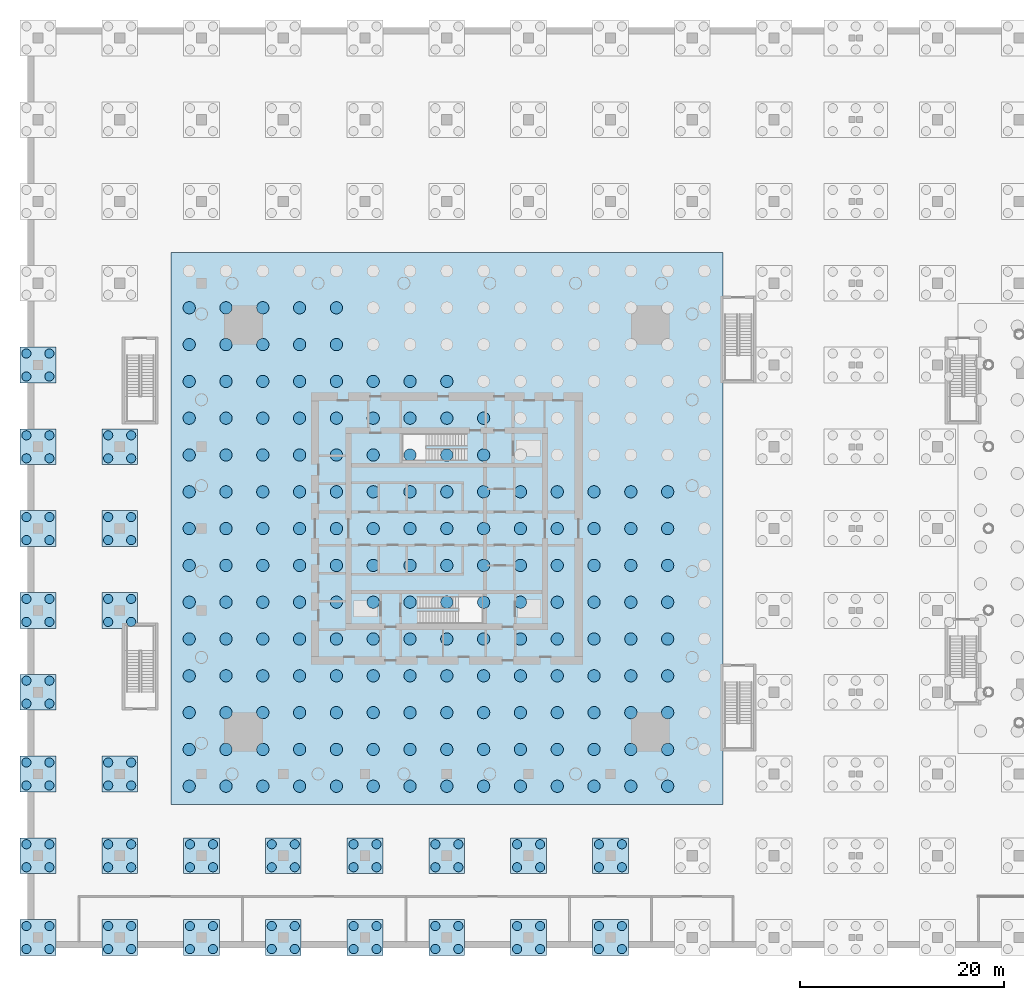
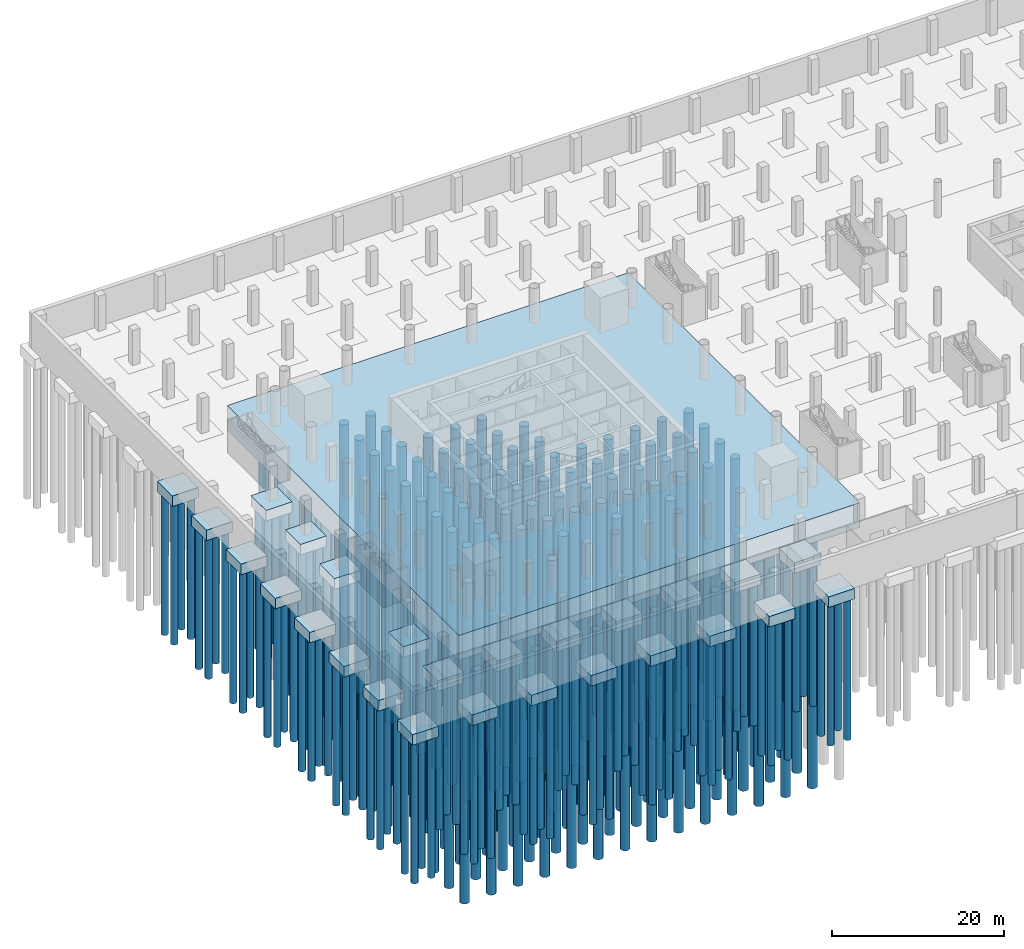
# One storey, part 1 of 24: 266 piles, 27 footings.
"""IFC4 building model written with IfcOpenShell, lengths in metres."""

from ifc_helpers import new_model, si_unit, direction, frame, origin, origin_2d, place, context, subcontext, project, spatial, polyline, rectangle, circle, outline, extrude, material, layer, layer_set, type_object, element, save


model = new_model("IFC4")

# Units and contexts
model_context = context("Model", 3, precision=1e-05, world=origin(), true_north=direction((0.0, 1.0)))
body_context = subcontext(model_context, "Body", "Model", "MODEL_VIEW")
ifc_project = project(units=[si_unit("LENGTHUNIT", "METRE"), si_unit("AREAUNIT", "SQUARE_METRE"), si_unit("VOLUMEUNIT", "CUBIC_METRE"), si_unit("PLANEANGLEUNIT", "RADIAN"), si_unit("MASSUNIT", "GRAM", prefix="KILO")], contexts=[model_context])

# Site, building, storey
site_placement = place(None, origin())
site = spatial("IfcSite", under=ifc_project, at=site_placement, CompositionType="ELEMENT")
building_placement = place(site_placement, origin())
building = spatial("IfcBuilding", under=site, at=building_placement, Name="Ostroluk Exchange", CompositionType="ELEMENT")
storey_placement = place(building_placement, frame((0.0, 0.0, -10.0)))
storey = spatial("IfcBuildingStorey", under=building, at=storey_placement, Name="B2", CompositionType="ELEMENT", Elevation=-10.0)

# Piles
ifc_material_1 = material(Name="Concrete C30/37", Category="concrete")
pile_type_1 = type_object("IfcPileType", Name="Bored pile 1200 x 36 m", PredefinedType="BORED", material=ifc_material_1)
for number, where, z_axis, x_axis, name in (
    (1, (19.800048828125, 20.800048828125, -3.5), (0.0, 0.0, -1.0), (1.0, 0.0, 0.0), "Office tower raft pile 1.1"),
    (2, (19.800048828125, 24.39990234375, -3.5), (0.0, 0.0, -1.0), (1.0, 0.0, 0.0), "Office tower raft pile 1.2"),
    (3, (19.800048828125, 28.0, -3.5), (0.0, 0.0, -1.0), (1.0, 0.0, 0.0), "Office tower raft pile 1.3"),
    (4, (19.800048828125, 31.60009765625, -3.5), (0.0, 0.0, -1.0), (1.0, 0.0, 0.0), "Office tower raft pile 1.4"),
    (5, (19.800048828125, 35.199951171875, -3.5), (0.0, 0.0, -1.0), (1.0, 0.0, 0.0), "Office tower raft pile 1.5"),
    (6, (19.800048828125, 38.800048828125, -3.5), (0.0, 0.0, -1.0), (1.0, 0.0, 0.0), "Office tower raft pile 1.6"),
    (7, (19.800048828125, 42.39990234375, -3.5), (0.0, 0.0, -1.0), (1.0, 0.0, 0.0), "Office tower raft pile 1.7"),
    (8, (19.800048828125, 46.0, -3.5), (0.0, 0.0, -1.0), (1.0, 0.0, 0.0), "Office tower raft pile 1.8"),
    (9, (19.800048828125, 49.60009765625, -3.5), (0.0, 0.0, -1.0), (1.0, 0.0, 0.0), "Office tower raft pile 1.9"),
    (10, (19.800048828125, 53.199951171875, -3.5), (0.0, 0.0, -1.0), (1.0, 0.0, 0.0), "Office tower raft pile 1.10"),
    (11, (19.800048828125, 56.800048828125, -3.5), (0.0, 0.0, -1.0), (1.0, 0.0, 0.0), "Office tower raft pile 1.11"),
    (12, (19.800048828125, 60.39990234375, -3.5), (0.0, 0.0, -1.0), (1.0, 0.0, 0.0), "Office tower raft pile 1.12"),
    (13, (19.800048828125, 64.0, -3.5), (0.0, 0.0, -1.0), (1.0, 0.0, 0.0), "Office tower raft pile 1.13"),
    (14, (19.800048828125, 67.60009765625, -3.5), (0.0, 0.0, -1.0), (1.0, 0.0, 0.0), "Office tower raft pile 1.14"),
    (15, (23.39990234375, 20.800048828125, -3.5), (0.0, 0.0, -1.0), (1.0, 0.0, 0.0), "Office tower raft pile 2.1"),
    (16, (23.39990234375, 24.39990234375, -3.5), (0.0, 0.0, -1.0), (1.0, 0.0, 0.0), "Office tower raft pile 2.2"),
    (17, (23.39990234375, 28.0, -3.5), (0.0, 0.0, -1.0), (1.0, 0.0, 0.0), "Office tower raft pile 2.3"),
    (18, (23.39990234375, 31.60009765625, -3.5), (0.0, 0.0, -1.0), (1.0, 0.0, 0.0), "Office tower raft pile 2.4"),
    (19, (23.39990234375, 35.199951171875, -3.5), (0.0, 0.0, -1.0), (1.0, 0.0, 0.0), "Office tower raft pile 2.5"),
    (20, (23.39990234375, 38.800048828125, -3.5), (0.0, 0.0, -1.0), (1.0, 0.0, 0.0), "Office tower raft pile 2.6"),
    (21, (23.39990234375, 42.39990234375, -3.5), (0.0, 0.0, -1.0), (1.0, 0.0, 0.0), "Office tower raft pile 2.7"),
    (22, (23.39990234375, 46.0, -3.5), (0.0, 0.0, -1.0), (1.0, 0.0, 0.0), "Office tower raft pile 2.8"),
    (23, (23.39990234375, 49.60009765625, -3.5), (0.0, 0.0, -1.0), (1.0, 0.0, 0.0), "Office tower raft pile 2.9"),
    (24, (23.39990234375, 53.199951171875, -3.5), (0.0, 0.0, -1.0), (1.0, 0.0, 0.0), "Office tower raft pile 2.10"),
    (25, (23.39990234375, 56.800048828125, -3.5), (0.0, 0.0, -1.0), (1.0, 0.0, 0.0), "Office tower raft pile 2.11"),
    (26, (23.39990234375, 60.39990234375, -3.5), (0.0, 0.0, -1.0), (1.0, 0.0, 0.0), "Office tower raft pile 2.12"),
    (27, (23.39990234375, 64.0, -3.5), (0.0, 0.0, -1.0), (1.0, 0.0, 0.0), "Office tower raft pile 2.13"),
    (28, (23.39990234375, 67.60009765625, -3.5), (0.0, 0.0, -1.0), (1.0, 0.0, 0.0), "Office tower raft pile 2.14"),
    (29, (27.0, 20.800048828125, -3.5), (0.0, 0.0, -1.0), (1.0, 0.0, 0.0), "Office tower raft pile 3.1"),
    (30, (27.0, 24.39990234375, -3.5), (0.0, 0.0, -1.0), (1.0, 0.0, 0.0), "Office tower raft pile 3.2"),
    (31, (27.0, 28.0, -3.5), (0.0, 0.0, -1.0), (1.0, 0.0, 0.0), "Office tower raft pile 3.3"),
    (32, (27.0, 31.60009765625, -3.5), (0.0, 0.0, -1.0), (1.0, 0.0, 0.0), "Office tower raft pile 3.4"),
    (33, (27.0, 35.199951171875, -3.5), (0.0, 0.0, -1.0), (1.0, 0.0, 0.0), "Office tower raft pile 3.5"),
    (34, (27.0, 38.800048828125, -3.5), (0.0, 0.0, -1.0), (1.0, 0.0, 0.0), "Office tower raft pile 3.6"),
    (35, (27.0, 42.39990234375, -3.5), (0.0, 0.0, -1.0), (1.0, 0.0, 0.0), "Office tower raft pile 3.7"),
    (36, (27.0, 46.0, -3.5), (0.0, 0.0, -1.0), (1.0, 0.0, 0.0), "Office tower raft pile 3.8"),
    (37, (27.0, 49.60009765625, -3.5), (0.0, 0.0, -1.0), (1.0, 0.0, 0.0), "Office tower raft pile 3.9"),
    (38, (27.0, 53.199951171875, -3.5), (0.0, 0.0, -1.0), (1.0, 0.0, 0.0), "Office tower raft pile 3.10"),
    (39, (27.0, 56.800048828125, -3.5), (0.0, 0.0, -1.0), (1.0, 0.0, 0.0), "Office tower raft pile 3.11"),
    (40, (27.0, 60.39990234375, -3.5), (0.0, 0.0, -1.0), (1.0, 0.0, 0.0), "Office tower raft pile 3.12"),
    (41, (27.0, 64.0, -3.5), (0.0, 0.0, -1.0), (1.0, 0.0, 0.0), "Office tower raft pile 3.13"),
    (42, (27.0, 67.60009765625, -3.5), (0.0, 0.0, -1.0), (1.0, 0.0, 0.0), "Office tower raft pile 3.14"),
    (43, (30.60009765625, 20.800048828125, -3.5), (0.0, 0.0, -1.0), (1.0, 0.0, 0.0), "Office tower raft pile 4.1"),
    (44, (30.60009765625, 24.39990234375, -3.5), (0.0, 0.0, -1.0), (1.0, 0.0, 0.0), "Office tower raft pile 4.2"),
    (45, (30.60009765625, 28.0, -3.5), (0.0, 0.0, -1.0), (1.0, 0.0, 0.0), "Office tower raft pile 4.3"),
    (46, (30.60009765625, 31.60009765625, -3.5), (0.0, 0.0, -1.0), (1.0, 0.0, 0.0), "Office tower raft pile 4.4"),
    (47, (30.60009765625, 35.199951171875, -3.5), (0.0, 0.0, -1.0), (1.0, 0.0, 0.0), "Office tower raft pile 4.5"),
    (48, (30.60009765625, 38.800048828125, -3.5), (0.0, 0.0, -1.0), (1.0, 0.0, 0.0), "Office tower raft pile 4.6"),
    (49, (30.60009765625, 42.39990234375, -3.5), (0.0, 0.0, -1.0), (1.0, 0.0, 0.0), "Office tower raft pile 4.7"),
    (50, (30.60009765625, 46.0, -3.5), (0.0, 0.0, -1.0), (1.0, 0.0, 0.0), "Office tower raft pile 4.8"),
    (51, (30.60009765625, 49.60009765625, -3.5), (0.0, 0.0, -1.0), (1.0, 0.0, 0.0), "Office tower raft pile 4.9"),
    (52, (30.60009765625, 53.199951171875, -3.5), (0.0, 0.0, -1.0), (1.0, 0.0, 0.0), "Office tower raft pile 4.10"),
    (53, (30.60009765625, 56.800048828125, -3.5), (0.0, 0.0, -1.0), (1.0, 0.0, 0.0), "Office tower raft pile 4.11"),
    (54, (30.60009765625, 60.39990234375, -3.5), (0.0, 0.0, -1.0), (1.0, 0.0, 0.0), "Office tower raft pile 4.12"),
    (55, (30.60009765625, 64.0, -3.5), (0.0, 0.0, -1.0), (1.0, 0.0, 0.0), "Office tower raft pile 4.13"),
    (56, (30.60009765625, 67.60009765625, -3.5), (0.0, 0.0, -1.0), (1.0, 0.0, 0.0), "Office tower raft pile 4.14"),
    (57, (34.199951171875, 20.800048828125, -3.5), (0.0, 0.0, -1.0), (1.0, 0.0, 0.0), "Office tower raft pile 5.1"),
    (58, (34.199951171875, 24.39990234375, -3.5), (0.0, 0.0, -1.0), (1.0, 0.0, 0.0), "Office tower raft pile 5.2"),
    (59, (34.199951171875, 28.0, -3.5), (0.0, 0.0, -1.0), (1.0, 0.0, 0.0), "Office tower raft pile 5.3"),
    (60, (34.199951171875, 31.60009765625, -3.5), (0.0, 0.0, -1.0), (1.0, 0.0, 0.0), "Office tower raft pile 5.4"),
    (61, (34.199951171875, 35.199951171875, -3.5), (0.0, 0.0, -1.0), (1.0, 0.0, 0.0), "Office tower raft pile 5.5"),
    (62, (34.199951171875, 38.800048828125, -3.5), (0.0, 0.0, -1.0), (1.0, 0.0, 0.0), "Office tower raft pile 5.6"),
    (63, (34.199951171875, 42.39990234375, -3.5), (0.0, 0.0, -1.0), (1.0, 0.0, 0.0), "Office tower raft pile 5.7"),
    (64, (34.199951171875, 46.0, -3.5), (0.0, 0.0, -1.0), (1.0, 0.0, 0.0), "Office tower raft pile 5.8"),
    (65, (34.199951171875, 49.60009765625, -3.5), (0.0, 0.0, -1.0), (1.0, 0.0, 0.0), "Office tower raft pile 5.9"),
    (66, (34.199951171875, 53.199951171875, -3.5), (0.0, 0.0, -1.0), (1.0, 0.0, 0.0), "Office tower raft pile 5.10"),
    (67, (34.199951171875, 56.800048828125, -3.5), (0.0, 0.0, -1.0), (1.0, 0.0, 0.0), "Office tower raft pile 5.11"),
    (68, (34.199951171875, 60.39990234375, -3.5), (0.0, 0.0, -1.0), (1.0, 0.0, 0.0), "Office tower raft pile 5.12"),
    (69, (34.199951171875, 64.0, -3.5), (0.0, 0.0, -1.0), (1.0, 0.0, 0.0), "Office tower raft pile 5.13"),
    (70, (34.199951171875, 67.60009765625, -3.5), (0.0, 0.0, -1.0), (1.0, 0.0, 0.0), "Office tower raft pile 5.14"),
    (71, (37.800048828125, 20.800048828125, -3.5), (0.0, 0.0, -1.0), (1.0, 0.0, 0.0), "Office tower raft pile 6.1"),
    (72, (37.800048828125, 24.39990234375, -3.5), (0.0, 0.0, -1.0), (1.0, 0.0, 0.0), "Office tower raft pile 6.2"),
    (73, (37.800048828125, 28.0, -3.5), (0.0, 0.0, -1.0), (1.0, 0.0, 0.0), "Office tower raft pile 6.3"),
    (74, (37.800048828125, 31.60009765625, -3.5), (0.0, 0.0, -1.0), (1.0, 0.0, 0.0), "Office tower raft pile 6.4"),
    (75, (37.800048828125, 35.199951171875, -3.5), (0.0, 0.0, -1.0), (1.0, 0.0, 0.0), "Office tower raft pile 6.5"),
    (76, (37.800048828125, 38.800048828125, -3.5), (0.0, 0.0, -1.0), (1.0, 0.0, 0.0), "Office tower raft pile 6.6"),
    (77, (37.800048828125, 42.39990234375, -3.5), (0.0, 0.0, -1.0), (1.0, 0.0, 0.0), "Office tower raft pile 6.7"),
    (78, (37.800048828125, 46.0, -3.5), (0.0, 0.0, -1.0), (1.0, 0.0, 0.0), "Office tower raft pile 6.8"),
    (79, (37.800048828125, 49.60009765625, -3.5), (0.0, 0.0, -1.0), (1.0, 0.0, 0.0), "Office tower raft pile 6.9"),
    (80, (37.800048828125, 53.199951171875, -3.5), (0.0, 0.0, -1.0), (1.0, 0.0, 0.0), "Office tower raft pile 6.10"),
    (81, (37.800048828125, 56.800048828125, -3.5), (0.0, 0.0, -1.0), (1.0, 0.0, 0.0), "Office tower raft pile 6.11"),
    (82, (37.800048828125, 60.39990234375, -3.5), (0.0, 0.0, -1.0), (1.0, 0.0, 0.0), "Office tower raft pile 6.12"),
    (83, (41.39990234375, 20.800048828125, -3.5), (0.0, 0.0, -1.0), (1.0, 0.0, 0.0), "Office tower raft pile 7.1"),
    (84, (41.39990234375, 24.39990234375, -3.5), (0.0, 0.0, -1.0), (1.0, 0.0, 0.0), "Office tower raft pile 7.2"),
    (85, (41.39990234375, 28.0, -3.5), (0.0, 0.0, -1.0), (1.0, 0.0, 0.0), "Office tower raft pile 7.3"),
    (86, (41.39990234375, 31.60009765625, -3.5), (0.0, 0.0, -1.0), (1.0, 0.0, 0.0), "Office tower raft pile 7.4"),
    (87, (41.39990234375, 35.199951171875, -3.5), (0.0, 0.0, -1.0), (1.0, 0.0, 0.0), "Office tower raft pile 7.5"),
    (88, (41.39990234375, 38.800048828125, -3.5), (0.0, 0.0, -1.0), (1.0, 0.0, 0.0), "Office tower raft pile 7.6"),
    (89, (41.39990234375, 42.39990234375, -3.5), (0.0, 0.0, -1.0), (1.0, 0.0, 0.0), "Office tower raft pile 7.7"),
    (90, (41.39990234375, 46.0, -3.5), (0.0, 0.0, -1.0), (1.0, 0.0, 0.0), "Office tower raft pile 7.8"),
    (91, (41.39990234375, 49.60009765625, -3.5), (0.0, 0.0, -1.0), (1.0, 0.0, 0.0), "Office tower raft pile 7.9"),
    (92, (41.39990234375, 53.199951171875, -3.5), (0.0, 0.0, -1.0), (1.0, 0.0, 0.0), "Office tower raft pile 7.10"),
    (93, (41.39990234375, 56.800048828125, -3.5), (0.0, 0.0, -1.0), (1.0, 0.0, 0.0), "Office tower raft pile 7.11"),
    (94, (41.39990234375, 60.39990234375, -3.5), (0.0, 0.0, -1.0), (1.0, 0.0, 0.0), "Office tower raft pile 7.12"),
    (95, (45.0, 20.800048828125, -3.5), (0.0, 0.0, -1.0), (1.0, 0.0, 0.0), "Office tower raft pile 8.1"),
    (96, (45.0, 24.39990234375, -3.5), (0.0, 0.0, -1.0), (1.0, 0.0, 0.0), "Office tower raft pile 8.2"),
    (97, (45.0, 28.0, -3.5), (0.0, 0.0, -1.0), (1.0, 0.0, 0.0), "Office tower raft pile 8.3"),
    (98, (45.0, 31.60009765625, -3.5), (0.0, 0.0, -1.0), (1.0, 0.0, 0.0), "Office tower raft pile 8.4"),
    (99, (45.0, 35.199951171875, -3.5), (0.0, 0.0, -1.0), (1.0, 0.0, 0.0), "Office tower raft pile 8.5"),
    (100, (45.0, 38.800048828125, -3.5), (0.0, 0.0, -1.0), (1.0, 0.0, 0.0), "Office tower raft pile 8.6"),
    (101, (45.0, 42.39990234375, -3.5), (0.0, 0.0, -1.0), (1.0, 0.0, 0.0), "Office tower raft pile 8.7"),
    (102, (45.0, 46.0, -3.5), (0.0, 0.0, -1.0), (1.0, 0.0, 0.0), "Office tower raft pile 8.8"),
    (103, (45.0, 49.60009765625, -3.5), (0.0, 0.0, -1.0), (1.0, 0.0, 0.0), "Office tower raft pile 8.9"),
    (104, (45.0, 53.199951171875, -3.5), (0.0, 0.0, -1.0), (1.0, 0.0, 0.0), "Office tower raft pile 8.10"),
    (105, (45.0, 56.800048828125, -3.5), (0.0, 0.0, -1.0), (1.0, 0.0, 0.0), "Office tower raft pile 8.11"),
    (106, (45.0, 60.39990234375, -3.5), (0.0, 0.0, -1.0), (1.0, 0.0, 0.0), "Office tower raft pile 8.12"),
    (107, (48.60009765625, 20.800048828125, -3.5), (0.0, 0.0, -1.0), (1.0, 0.0, 0.0), "Office tower raft pile 9.1"),
    (108, (48.60009765625, 24.39990234375, -3.5), (0.0, 0.0, -1.0), (1.0, 0.0, 0.0), "Office tower raft pile 9.2"),
    (109, (48.60009765625, 28.0, -3.5), (0.0, 0.0, -1.0), (1.0, 0.0, 0.0), "Office tower raft pile 9.3"),
    (110, (48.60009765625, 31.60009765625, -3.5), (0.0, 0.0, -1.0), (1.0, 0.0, 0.0), "Office tower raft pile 9.4"),
    (111, (48.60009765625, 35.199951171875, -3.5), (0.0, 0.0, -1.0), (1.0, 0.0, 0.0), "Office tower raft pile 9.5"),
    (112, (48.60009765625, 38.800048828125, -3.5), (0.0, 0.0, -1.0), (1.0, 0.0, 0.0), "Office tower raft pile 9.6"),
    (113, (48.60009765625, 42.39990234375, -3.5), (0.0, 0.0, -1.0), (1.0, 0.0, 0.0), "Office tower raft pile 9.7"),
    (114, (48.60009765625, 46.0, -3.5), (0.0, 0.0, -1.0), (1.0, 0.0, 0.0), "Office tower raft pile 9.8"),
    (115, (48.60009765625, 49.60009765625, -3.5), (0.0, 0.0, -1.0), (1.0, 0.0, 0.0), "Office tower raft pile 9.9"),
    (116, (48.60009765625, 53.199951171875, -3.5), (0.0, 0.0, -1.0), (1.0, 0.0, 0.0), "Office tower raft pile 9.10"),
    (117, (48.60009765625, 56.800048828125, -3.5), (0.0, 0.0, -1.0), (1.0, 0.0, 0.0), "Office tower raft pile 9.11"),
    (118, (52.199951171875, 20.800048828125, -3.5), (0.0, 0.0, -1.0), (1.0, 0.0, 0.0), "Office tower raft pile 10.1"),
    (119, (52.199951171875, 24.39990234375, -3.5), (0.0, 0.0, -1.0), (1.0, 0.0, 0.0), "Office tower raft pile 10.2"),
    (120, (52.199951171875, 28.0, -3.5), (0.0, 0.0, -1.0), (1.0, 0.0, 0.0), "Office tower raft pile 10.3"),
    (121, (52.199951171875, 31.60009765625, -3.5), (0.0, 0.0, -1.0), (1.0, 0.0, 0.0), "Office tower raft pile 10.4"),
    (122, (52.199951171875, 35.199951171875, -3.5), (0.0, 0.0, -1.0), (1.0, 0.0, 0.0), "Office tower raft pile 10.5"),
    (123, (52.199951171875, 38.800048828125, -3.5), (0.0, 0.0, -1.0), (1.0, 0.0, 0.0), "Office tower raft pile 10.6"),
    (124, (52.199951171875, 42.39990234375, -3.5), (0.0, 0.0, -1.0), (1.0, 0.0, 0.0), "Office tower raft pile 10.7"),
    (125, (52.199951171875, 46.0, -3.5), (0.0, 0.0, -1.0), (1.0, 0.0, 0.0), "Office tower raft pile 10.8"),
    (126, (52.199951171875, 49.60009765625, -3.5), (0.0, 0.0, -1.0), (1.0, 0.0, 0.0), "Office tower raft pile 10.9"),
    (127, (55.800048828125, 20.800048828125, -3.5), (0.0, 0.0, -1.0), (1.0, 0.0, 0.0), "Office tower raft pile 11.1"),
    (128, (55.800048828125, 24.39990234375, -3.5), (0.0, 0.0, -1.0), (1.0, 0.0, 0.0), "Office tower raft pile 11.2"),
    (129, (55.800048828125, 28.0, -3.5), (0.0, 0.0, -1.0), (1.0, 0.0, 0.0), "Office tower raft pile 11.3"),
    (130, (55.800048828125, 31.60009765625, -3.5), (0.0, 0.0, -1.0), (1.0, 0.0, 0.0), "Office tower raft pile 11.4"),
    (131, (55.800048828125, 35.199951171875, -3.5), (0.0, 0.0, -1.0), (1.0, 0.0, 0.0), "Office tower raft pile 11.5"),
    (132, (55.800048828125, 38.800048828125, -3.5), (0.0, 0.0, -1.0), (1.0, 0.0, 0.0), "Office tower raft pile 11.6"),
    (133, (55.800048828125, 42.39990234375, -3.5), (0.0, 0.0, -1.0), (1.0, 0.0, 0.0), "Office tower raft pile 11.7"),
    (134, (55.800048828125, 46.0, -3.5), (0.0, 0.0, -1.0), (1.0, 0.0, 0.0), "Office tower raft pile 11.8"),
    (135, (55.800048828125, 49.60009765625, -3.5), (0.0, 0.0, -1.0), (1.0, 0.0, 0.0), "Office tower raft pile 11.9"),
    (136, (59.39990234375, 20.800048828125, -3.5), (0.0, 0.0, -1.0), (1.0, 0.0, 0.0), "Office tower raft pile 12.1"),
    (137, (59.39990234375, 24.39990234375, -3.5), (0.0, 0.0, -1.0), (1.0, 0.0, 0.0), "Office tower raft pile 12.2"),
    (138, (59.39990234375, 28.0, -3.5), (0.0, 0.0, -1.0), (1.0, 0.0, 0.0), "Office tower raft pile 12.3"),
    (139, (59.39990234375, 31.60009765625, -3.5), (0.0, 0.0, -1.0), (1.0, 0.0, 0.0), "Office tower raft pile 12.4"),
    (140, (59.39990234375, 35.199951171875, -3.5), (0.0, 0.0, -1.0), (1.0, 0.0, 0.0), "Office tower raft pile 12.5"),
    (141, (59.39990234375, 38.800048828125, -3.5), (0.0, 0.0, -1.0), (1.0, 0.0, 0.0), "Office tower raft pile 12.6"),
    (142, (59.39990234375, 42.39990234375, -3.5), (0.0, 0.0, -1.0), (1.0, 0.0, 0.0), "Office tower raft pile 12.7"),
    (143, (59.39990234375, 46.0, -3.5), (0.0, 0.0, -1.0), (1.0, 0.0, 0.0), "Office tower raft pile 12.8"),
    (144, (59.39990234375, 49.60009765625, -3.5), (0.0, 0.0, -1.0), (1.0, 0.0, 0.0), "Office tower raft pile 12.9"),
    (145, (63.0, 20.800048828125, -3.5), (0.0, 0.0, -1.0), (1.0, 0.0, 0.0), "Office tower raft pile 13.1"),
    (146, (63.0, 24.39990234375, -3.5), (0.0, 0.0, -1.0), (1.0, 0.0, 0.0), "Office tower raft pile 13.2"),
    (147, (63.0, 28.0, -3.5), (0.0, 0.0, -1.0), (1.0, 0.0, 0.0), "Office tower raft pile 13.3"),
    (148, (63.0, 31.60009765625, -3.5), (0.0, 0.0, -1.0), (1.0, 0.0, 0.0), "Office tower raft pile 13.4"),
    (149, (63.0, 35.199951171875, -3.5), (0.0, 0.0, -1.0), (1.0, 0.0, 0.0), "Office tower raft pile 13.5"),
    (150, (63.0, 38.800048828125, -3.5), (0.0, 0.0, -1.0), (1.0, 0.0, 0.0), "Office tower raft pile 13.6"),
    (151, (63.0, 42.39990234375, -3.5), (0.0, 0.0, -1.0), (1.0, 0.0, 0.0), "Office tower raft pile 13.7"),
    (152, (63.0, 46.0, -3.5), (0.0, 0.0, -1.0), (1.0, 0.0, 0.0), "Office tower raft pile 13.8"),
    (153, (63.0, 49.60009765625, -3.5), (0.0, 0.0, -1.0), (1.0, 0.0, 0.0), "Office tower raft pile 13.9"),
    (154, (66.60009765625, 20.800048828125, -3.5), (0.0, 0.0, -1.0), (1.0, 0.0, 0.0), "Office tower raft pile 14.1"),
    (155, (66.60009765625, 24.39990234375, -3.5), (0.0, 0.0, -1.0), (1.0, 0.0, 0.0), "Office tower raft pile 14.2"),
    (156, (66.60009765625, 28.0, -3.5), (0.0, 0.0, -1.0), (1.0, 0.0, 0.0), "Office tower raft pile 14.3"),
    (157, (66.60009765625, 31.60009765625, -3.5), (0.0, 0.0, -1.0), (1.0, 0.0, 0.0), "Office tower raft pile 14.4"),
    (158, (66.60009765625, 35.199951171875, -3.5), (0.0, 0.0, -1.0), (1.0, 0.0, 0.0), "Office tower raft pile 14.5"),
    (159, (66.60009765625, 38.800048828125, -3.5), (0.0, 0.0, -1.0), (1.0, 0.0, 0.0), "Office tower raft pile 14.6"),
    (160, (66.60009765625, 42.39990234375, -3.5), (0.0, 0.0, -1.0), (1.0, 0.0, 0.0), "Office tower raft pile 14.7"),
    (161, (66.60009765625, 46.0, -3.5), (0.0, 0.0, -1.0), (1.0, 0.0, 0.0), "Office tower raft pile 14.8"),
    (162, (66.60009765625, 49.60009765625, -3.5), (0.0, 0.0, -1.0), (1.0, 0.0, 0.0), "Office tower raft pile 14.9"),
):
    element("IfcPile", number, at=place(storey_placement, frame(where, z_axis=z_axis, x_axis=x_axis)), inside=storey, type_object=pile_type_1, Name=name, PredefinedType="BORED", context=body_context, shape_type="SweptSolid", body=[
        extrude(circle(Radius=0.60009765625, at=origin_2d()), origin(), (0.0, 0.0, 1.0), 36.0),
    ])
ifc_material_2 = material(Name="Concrete C30/37", Category="concrete")
pile_type_2 = type_object("IfcPileType", Name="Bored pile 900 x 20 m", PredefinedType="BORED", material=ifc_material_2)
for number, where, z_axis, x_axis, name in (
    (163, (3.875, 4.875, -1.5), (0.0, 0.0, -1.0), (1.0, 0.0, 0.0), "Pile 5/6 1"),
    (164, (6.125, 4.875, -1.5), (0.0, 0.0, -1.0), (1.0, 0.0, 0.0), "Pile 5/6 2"),
    (165, (6.125, 7.125, -1.5), (0.0, 0.0, -1.0), (1.0, 0.0, 0.0), "Pile 5/6 3"),
    (166, (3.875, 7.125, -1.5), (0.0, 0.0, -1.0), (1.0, 0.0, 0.0), "Pile 5/6 4"),
    (167, (3.875, 12.875, -1.5), (0.0, 0.0, -1.0), (1.0, 0.0, 0.0), "Pile 5/14 1"),
    (168, (6.125, 12.875, -1.5), (0.0, 0.0, -1.0), (1.0, 0.0, 0.0), "Pile 5/14 2"),
    (169, (6.125, 15.125, -1.5), (0.0, 0.0, -1.0), (1.0, 0.0, 0.0), "Pile 5/14 3"),
    (170, (3.875, 15.125, -1.5), (0.0, 0.0, -1.0), (1.0, 0.0, 0.0), "Pile 5/14 4"),
    (171, (3.875, 20.875, -1.5), (0.0, 0.0, -1.0), (1.0, 0.0, 0.0), "Pile 5/22 1"),
    (172, (6.125, 20.875, -1.5), (0.0, 0.0, -1.0), (1.0, 0.0, 0.0), "Pile 5/22 2"),
    (173, (6.125, 23.125, -1.5), (0.0, 0.0, -1.0), (1.0, 0.0, 0.0), "Pile 5/22 3"),
    (174, (3.875, 23.125, -1.5), (0.0, 0.0, -1.0), (1.0, 0.0, 0.0), "Pile 5/22 4"),
    (175, (3.875, 28.875, -1.5), (0.0, 0.0, -1.0), (1.0, 0.0, 0.0), "Pile 5/30 1"),
    (176, (6.125, 28.875, -1.5), (0.0, 0.0, -1.0), (1.0, 0.0, 0.0), "Pile 5/30 2"),
    (177, (6.125, 31.125, -1.5), (0.0, 0.0, -1.0), (1.0, 0.0, 0.0), "Pile 5/30 3"),
    (178, (3.875, 31.125, -1.5), (0.0, 0.0, -1.0), (1.0, 0.0, 0.0), "Pile 5/30 4"),
    (179, (3.875, 36.875, -1.5), (0.0, 0.0, -1.0), (1.0, 0.0, 0.0), "Pile 5/38 1"),
    (180, (6.125, 36.875, -1.5), (0.0, 0.0, -1.0), (1.0, 0.0, 0.0), "Pile 5/38 2"),
    (181, (6.125, 39.125, -1.5), (0.0, 0.0, -1.0), (1.0, 0.0, 0.0), "Pile 5/38 3"),
    (182, (3.875, 39.125, -1.5), (0.0, 0.0, -1.0), (1.0, 0.0, 0.0), "Pile 5/38 4"),
    (183, (3.875, 44.875, -1.5), (0.0, 0.0, -1.0), (1.0, 0.0, 0.0), "Pile 5/46 1"),
    (184, (6.125, 44.875, -1.5), (0.0, 0.0, -1.0), (1.0, 0.0, 0.0), "Pile 5/46 2"),
    (185, (6.125, 47.125, -1.5), (0.0, 0.0, -1.0), (1.0, 0.0, 0.0), "Pile 5/46 3"),
    (186, (3.875, 47.125, -1.5), (0.0, 0.0, -1.0), (1.0, 0.0, 0.0), "Pile 5/46 4"),
    (187, (3.875, 52.875, -1.5), (0.0, 0.0, -1.0), (1.0, 0.0, 0.0), "Pile 5/54 1"),
    (188, (6.125, 52.875, -1.5), (0.0, 0.0, -1.0), (1.0, 0.0, 0.0), "Pile 5/54 2"),
    (189, (6.125, 55.125, -1.5), (0.0, 0.0, -1.0), (1.0, 0.0, 0.0), "Pile 5/54 3"),
    (190, (3.875, 55.125, -1.5), (0.0, 0.0, -1.0), (1.0, 0.0, 0.0), "Pile 5/54 4"),
    (191, (3.875, 60.875, -1.5), (0.0, 0.0, -1.0), (1.0, 0.0, 0.0), "Pile 5/62 1"),
    (192, (6.125, 60.875, -1.5), (0.0, 0.0, -1.0), (1.0, 0.0, 0.0), "Pile 5/62 2"),
    (193, (6.125, 63.125, -1.5), (0.0, 0.0, -1.0), (1.0, 0.0, 0.0), "Pile 5/62 3"),
    (194, (3.875, 63.125, -1.5), (0.0, 0.0, -1.0), (1.0, 0.0, 0.0), "Pile 5/62 4"),
    (195, (11.875, 4.875, -1.5), (0.0, 0.0, -1.0), (1.0, 0.0, 0.0), "Pile 13/6 1"),
    (196, (14.125, 4.875, -1.5), (0.0, 0.0, -1.0), (1.0, 0.0, 0.0), "Pile 13/6 2"),
    (197, (14.125, 7.125, -1.5), (0.0, 0.0, -1.0), (1.0, 0.0, 0.0), "Pile 13/6 3"),
    (198, (11.875, 7.125, -1.5), (0.0, 0.0, -1.0), (1.0, 0.0, 0.0), "Pile 13/6 4"),
    (199, (11.875, 12.875, -1.5), (0.0, 0.0, -1.0), (1.0, 0.0, 0.0), "Pile 13/14 1"),
    (200, (14.125, 12.875, -1.5), (0.0, 0.0, -1.0), (1.0, 0.0, 0.0), "Pile 13/14 2"),
    (201, (14.125, 15.125, -1.5), (0.0, 0.0, -1.0), (1.0, 0.0, 0.0), "Pile 13/14 3"),
    (202, (11.875, 15.125, -1.5), (0.0, 0.0, -1.0), (1.0, 0.0, 0.0), "Pile 13/14 4"),
    (203, (11.875, 20.875, -1.5), (0.0, 0.0, -1.0), (1.0, 0.0, 0.0), "Pile 13/22 1"),
    (204, (14.125, 20.875, -1.5), (0.0, 0.0, -1.0), (1.0, 0.0, 0.0), "Pile 13/22 2"),
    (205, (14.125, 23.125, -1.5), (0.0, 0.0, -1.0), (1.0, 0.0, 0.0), "Pile 13/22 3"),
    (206, (11.875, 23.125, -1.5), (0.0, 0.0, -1.0), (1.0, 0.0, 0.0), "Pile 13/22 4"),
    (207, (11.875, 36.875, -1.5), (0.0, 0.0, -1.0), (1.0, 0.0, 0.0), "Pile 13/38 1"),
    (208, (14.125, 36.875, -1.5), (0.0, 0.0, -1.0), (1.0, 0.0, 0.0), "Pile 13/38 2"),
    (209, (14.125, 39.125, -1.5), (0.0, 0.0, -1.0), (1.0, 0.0, 0.0), "Pile 13/38 3"),
    (210, (11.875, 39.125, -1.5), (0.0, 0.0, -1.0), (1.0, 0.0, 0.0), "Pile 13/38 4"),
    (211, (11.875, 44.875, -1.5), (0.0, 0.0, -1.0), (1.0, 0.0, 0.0), "Pile 13/46 1"),
    (212, (14.125, 44.875, -1.5), (0.0, 0.0, -1.0), (1.0, 0.0, 0.0), "Pile 13/46 2"),
    (213, (14.125, 47.125, -1.5), (0.0, 0.0, -1.0), (1.0, 0.0, 0.0), "Pile 13/46 3"),
    (214, (11.875, 47.125, -1.5), (0.0, 0.0, -1.0), (1.0, 0.0, 0.0), "Pile 13/46 4"),
    (215, (11.875, 52.875, -1.5), (0.0, 0.0, -1.0), (1.0, 0.0, 0.0), "Pile 13/54 1"),
    (216, (14.125, 52.875, -1.5), (0.0, 0.0, -1.0), (1.0, 0.0, 0.0), "Pile 13/54 2"),
    (217, (14.125, 55.125, -1.5), (0.0, 0.0, -1.0), (1.0, 0.0, 0.0), "Pile 13/54 3"),
    (218, (11.875, 55.125, -1.5), (0.0, 0.0, -1.0), (1.0, 0.0, 0.0), "Pile 13/54 4"),
    (219, (19.875, 4.875, -1.5), (0.0, 0.0, -1.0), (1.0, 0.0, 0.0), "Pile 21/6 1"),
    (220, (22.125, 4.875, -1.5), (0.0, 0.0, -1.0), (1.0, 0.0, 0.0), "Pile 21/6 2"),
    (221, (22.125, 7.125, -1.5), (0.0, 0.0, -1.0), (1.0, 0.0, 0.0), "Pile 21/6 3"),
    (222, (19.875, 7.125, -1.5), (0.0, 0.0, -1.0), (1.0, 0.0, 0.0), "Pile 21/6 4"),
    (223, (19.875, 12.875, -1.5), (0.0, 0.0, -1.0), (1.0, 0.0, 0.0), "Pile 21/14 1"),
    (224, (22.125, 12.875, -1.5), (0.0, 0.0, -1.0), (1.0, 0.0, 0.0), "Pile 21/14 2"),
    (225, (22.125, 15.125, -1.5), (0.0, 0.0, -1.0), (1.0, 0.0, 0.0), "Pile 21/14 3"),
    (226, (19.875, 15.125, -1.5), (0.0, 0.0, -1.0), (1.0, 0.0, 0.0), "Pile 21/14 4"),
    (227, (27.875, 4.875, -1.5), (0.0, 0.0, -1.0), (1.0, 0.0, 0.0), "Pile 29/6 1"),
    (228, (30.125, 4.875, -1.5), (0.0, 0.0, -1.0), (1.0, 0.0, 0.0), "Pile 29/6 2"),
    (229, (30.125, 7.125, -1.5), (0.0, 0.0, -1.0), (1.0, 0.0, 0.0), "Pile 29/6 3"),
    (230, (27.875, 7.125, -1.5), (0.0, 0.0, -1.0), (1.0, 0.0, 0.0), "Pile 29/6 4"),
    (231, (27.875, 12.875, -1.5), (0.0, 0.0, -1.0), (1.0, 0.0, 0.0), "Pile 29/14 1"),
    (232, (30.125, 12.875, -1.5), (0.0, 0.0, -1.0), (1.0, 0.0, 0.0), "Pile 29/14 2"),
    (233, (30.125, 15.125, -1.5), (0.0, 0.0, -1.0), (1.0, 0.0, 0.0), "Pile 29/14 3"),
    (234, (27.875, 15.125, -1.5), (0.0, 0.0, -1.0), (1.0, 0.0, 0.0), "Pile 29/14 4"),
    (235, (35.875, 4.875, -1.5), (0.0, 0.0, -1.0), (1.0, 0.0, 0.0), "Pile 37/6 1"),
    (236, (38.125, 4.875, -1.5), (0.0, 0.0, -1.0), (1.0, 0.0, 0.0), "Pile 37/6 2"),
    (237, (38.125, 7.125, -1.5), (0.0, 0.0, -1.0), (1.0, 0.0, 0.0), "Pile 37/6 3"),
    (238, (35.875, 7.125, -1.5), (0.0, 0.0, -1.0), (1.0, 0.0, 0.0), "Pile 37/6 4"),
    (239, (35.875, 12.875, -1.5), (0.0, 0.0, -1.0), (1.0, 0.0, 0.0), "Pile 37/14 1"),
    (240, (38.125, 12.875, -1.5), (0.0, 0.0, -1.0), (1.0, 0.0, 0.0), "Pile 37/14 2"),
    (241, (38.125, 15.125, -1.5), (0.0, 0.0, -1.0), (1.0, 0.0, 0.0), "Pile 37/14 3"),
    (242, (35.875, 15.125, -1.5), (0.0, 0.0, -1.0), (1.0, 0.0, 0.0), "Pile 37/14 4"),
    (243, (43.875, 4.875, -1.5), (0.0, 0.0, -1.0), (1.0, 0.0, 0.0), "Pile 45/6 1"),
    (244, (46.125, 4.875, -1.5), (0.0, 0.0, -1.0), (1.0, 0.0, 0.0), "Pile 45/6 2"),
    (245, (46.125, 7.125, -1.5), (0.0, 0.0, -1.0), (1.0, 0.0, 0.0), "Pile 45/6 3"),
    (246, (43.875, 7.125, -1.5), (0.0, 0.0, -1.0), (1.0, 0.0, 0.0), "Pile 45/6 4"),
    (247, (43.875, 12.875, -1.5), (0.0, 0.0, -1.0), (1.0, 0.0, 0.0), "Pile 45/14 1"),
    (248, (46.125, 12.875, -1.5), (0.0, 0.0, -1.0), (1.0, 0.0, 0.0), "Pile 45/14 2"),
    (249, (46.125, 15.125, -1.5), (0.0, 0.0, -1.0), (1.0, 0.0, 0.0), "Pile 45/14 3"),
    (250, (43.875, 15.125, -1.5), (0.0, 0.0, -1.0), (1.0, 0.0, 0.0), "Pile 45/14 4"),
    (251, (51.875, 4.875, -1.5), (0.0, 0.0, -1.0), (1.0, 0.0, 0.0), "Pile 53/6 1"),
    (252, (54.125, 4.875, -1.5), (0.0, 0.0, -1.0), (1.0, 0.0, 0.0), "Pile 53/6 2"),
    (253, (54.125, 7.125, -1.5), (0.0, 0.0, -1.0), (1.0, 0.0, 0.0), "Pile 53/6 3"),
    (254, (51.875, 7.125, -1.5), (0.0, 0.0, -1.0), (1.0, 0.0, 0.0), "Pile 53/6 4"),
    (255, (51.875, 12.875, -1.5), (0.0, 0.0, -1.0), (1.0, 0.0, 0.0), "Pile 53/14 1"),
    (256, (54.125, 12.875, -1.5), (0.0, 0.0, -1.0), (1.0, 0.0, 0.0), "Pile 53/14 2"),
    (257, (54.125, 15.125, -1.5), (0.0, 0.0, -1.0), (1.0, 0.0, 0.0), "Pile 53/14 3"),
    (258, (51.875, 15.125, -1.5), (0.0, 0.0, -1.0), (1.0, 0.0, 0.0), "Pile 53/14 4"),
    (259, (59.875, 4.875, -1.5), (0.0, 0.0, -1.0), (1.0, 0.0, 0.0), "Pile 61/6 1"),
    (260, (62.125, 4.875, -1.5), (0.0, 0.0, -1.0), (1.0, 0.0, 0.0), "Pile 61/6 2"),
    (261, (62.125, 7.125, -1.5), (0.0, 0.0, -1.0), (1.0, 0.0, 0.0), "Pile 61/6 3"),
    (262, (59.875, 7.125, -1.5), (0.0, 0.0, -1.0), (1.0, 0.0, 0.0), "Pile 61/6 4"),
    (263, (59.875, 12.875, -1.5), (0.0, 0.0, -1.0), (1.0, 0.0, 0.0), "Pile 61/14 1"),
    (264, (62.125, 12.875, -1.5), (0.0, 0.0, -1.0), (1.0, 0.0, 0.0), "Pile 61/14 2"),
    (265, (62.125, 15.125, -1.5), (0.0, 0.0, -1.0), (1.0, 0.0, 0.0), "Pile 61/14 3"),
    (266, (59.875, 15.125, -1.5), (0.0, 0.0, -1.0), (1.0, 0.0, 0.0), "Pile 61/14 4"),
):
    element("IfcPile", number, at=place(storey_placement, frame(where, z_axis=z_axis, x_axis=x_axis)), inside=storey, type_object=pile_type_2, Name=name, PredefinedType="BORED", context=body_context, shape_type="SweptSolid", body=[
        extrude(circle(Radius=0.449951171875, at=origin_2d()), origin(), (0.0, 0.0, 1.0), 20.0),
    ])

# Footings
ifc_material_3 = material(Name="Concrete C40/50", Category="concrete")
ifc_layer_1 = layer(ifc_material_3, 1.5)
ifc_layer_set_1 = layer_set([ifc_layer_1], Name="Pile cap 3500 x 3500 x 1500")
footing_type_1 = type_object("IfcFootingType", Name="Pile cap 3500 x 3500 x 1500", PredefinedType="PILE_CAP", material=ifc_layer_set_1)
for number, where, z_axis, x_axis, name in (
    (267, (5.0, 6.0, -1.5), (0.0, 0.0, 1.0), (1.0, 0.0, 0.0), "Pile cap 5/6"),
    (268, (5.0, 14.0, -1.5), (0.0, 0.0, 1.0), (1.0, 0.0, 0.0), "Pile cap 5/14"),
    (269, (5.0, 22.0, -1.5), (0.0, 0.0, 1.0), (1.0, 0.0, 0.0), "Pile cap 5/22"),
    (270, (5.0, 30.0, -1.5), (0.0, 0.0, 1.0), (1.0, 0.0, 0.0), "Pile cap 5/30"),
    (271, (5.0, 38.0, -1.5), (0.0, 0.0, 1.0), (1.0, 0.0, 0.0), "Pile cap 5/38"),
    (272, (5.0, 46.0, -1.5), (0.0, 0.0, 1.0), (1.0, 0.0, 0.0), "Pile cap 5/46"),
    (273, (5.0, 54.0, -1.5), (0.0, 0.0, 1.0), (1.0, 0.0, 0.0), "Pile cap 5/54"),
    (274, (5.0, 62.0, -1.5), (0.0, 0.0, 1.0), (1.0, 0.0, 0.0), "Pile cap 5/62"),
    (275, (13.0, 6.0, -1.5), (0.0, 0.0, 1.0), (1.0, 0.0, 0.0), "Pile cap 13/6"),
    (276, (13.0, 14.0, -1.5), (0.0, 0.0, 1.0), (1.0, 0.0, 0.0), "Pile cap 13/14"),
    (277, (13.0, 22.0, -1.5), (0.0, 0.0, 1.0), (1.0, 0.0, 0.0), "Pile cap 13/22"),
    (278, (13.0, 38.0, -1.5), (0.0, 0.0, 1.0), (1.0, 0.0, 0.0), "Pile cap 13/38"),
    (279, (13.0, 46.0, -1.5), (0.0, 0.0, 1.0), (1.0, 0.0, 0.0), "Pile cap 13/46"),
    (280, (13.0, 54.0, -1.5), (0.0, 0.0, 1.0), (1.0, 0.0, 0.0), "Pile cap 13/54"),
    (281, (21.0, 6.0, -1.5), (0.0, 0.0, 1.0), (1.0, 0.0, 0.0), "Pile cap 21/6"),
    (282, (21.0, 14.0, -1.5), (0.0, 0.0, 1.0), (1.0, 0.0, 0.0), "Pile cap 21/14"),
    (283, (29.0, 6.0, -1.5), (0.0, 0.0, 1.0), (1.0, 0.0, 0.0), "Pile cap 29/6"),
    (284, (29.0, 14.0, -1.5), (0.0, 0.0, 1.0), (1.0, 0.0, 0.0), "Pile cap 29/14"),
    (285, (37.0, 6.0, -1.5), (0.0, 0.0, 1.0), (1.0, 0.0, 0.0), "Pile cap 37/6"),
    (286, (37.0, 14.0, -1.5), (0.0, 0.0, 1.0), (1.0, 0.0, 0.0), "Pile cap 37/14"),
    (287, (45.0, 6.0, -1.5), (0.0, 0.0, 1.0), (1.0, 0.0, 0.0), "Pile cap 45/6"),
    (288, (45.0, 14.0, -1.5), (0.0, 0.0, 1.0), (1.0, 0.0, 0.0), "Pile cap 45/14"),
    (289, (53.0, 6.0, -1.5), (0.0, 0.0, 1.0), (1.0, 0.0, 0.0), "Pile cap 53/6"),
    (290, (53.0, 14.0, -1.5), (0.0, 0.0, 1.0), (1.0, 0.0, 0.0), "Pile cap 53/14"),
    (291, (61.0, 6.0, -1.5), (0.0, 0.0, 1.0), (1.0, 0.0, 0.0), "Pile cap 61/6"),
    (292, (61.0, 14.0, -1.5), (0.0, 0.0, 1.0), (1.0, 0.0, 0.0), "Pile cap 61/14"),
):
    element("IfcFooting", number, at=place(storey_placement, frame(where, z_axis=z_axis, x_axis=x_axis)), inside=storey, type_object=footing_type_1, Name=name, PredefinedType="PILE_CAP", context=body_context, shape_type="SweptSolid", body=[
        extrude(rectangle(XDim=3.5, YDim=3.5, at=origin_2d()), origin(), (0.0, 0.0, 1.0), 1.5),
    ])
ifc_material_4 = material(Name="Concrete C40/50", Category="concrete")
ifc_layer_2 = layer(ifc_material_4, 3.5)
ifc_layer_set_2 = layer_set([ifc_layer_2], Name="Piled raft 3500")
footing_type_2 = type_object("IfcFootingType", Name="Piled raft 3500", PredefinedType="PILE_CAP", material=ifc_layer_set_2)
footing_placement = place(storey_placement, frame((0.0, 0.0, -3.5)))
element("IfcFooting", 293, at=footing_placement, inside=storey, type_object=footing_type_2, Name="Office tower piled raft", PredefinedType="PILE_CAP", context=body_context, shape_type="SweptSolid", body=[
    extrude(outline(polyline([(18.0, 19.0), (72.0, 19.0), (72.0, 73.0), (18.0, 73.0), (18.0, 19.0)])), origin(), (0.0, 0.0, 1.0), 3.5),
])

save(model, "model.ifc")
